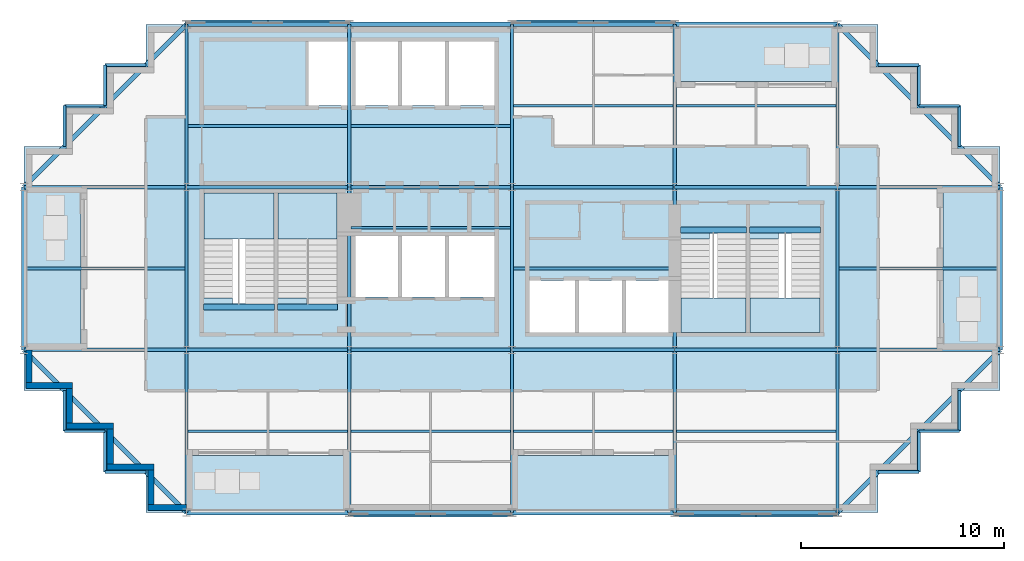
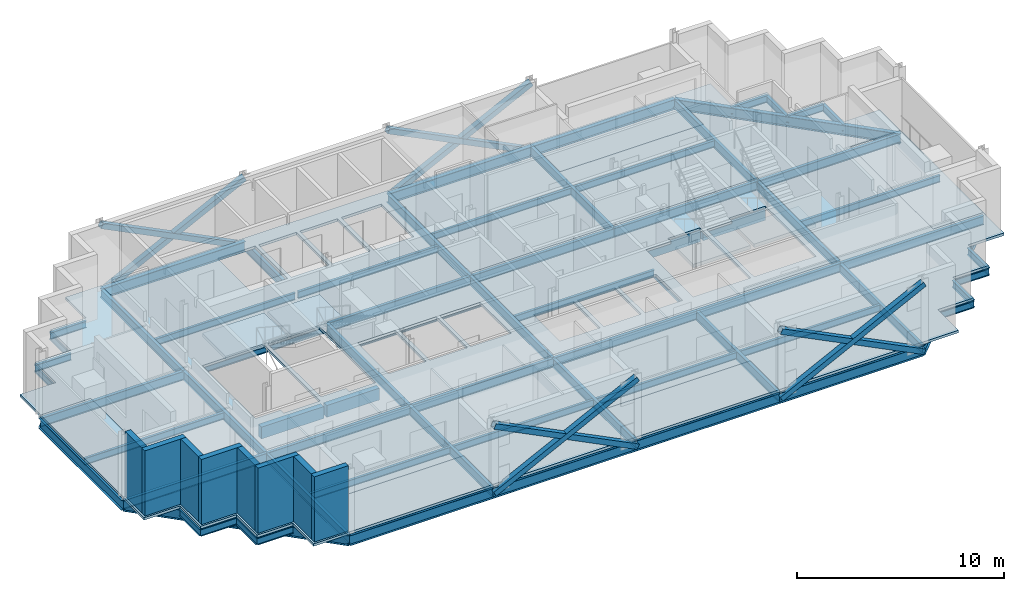
# One storey, part 3 of 10: 73 beams, 12 slabs, 8 members, 8 walls, 4 elements without a shape of their own.
"""IFC4 building model written with IfcOpenShell, lengths in metres."""

import ifcopenshell
import ifcopenshell.guid

model = None  # the IFC model being written
_history = None  # IfcOwnerHistory: only IFC2X3 demands one
_inside = {}  # id of a spatial element -> (the spatial element, [elements in it])
_under = {}  # id of a project, library or spatial element -> (it, [spatial elements below it])
_declared = {}  # id of a project -> (the project, [libraries it declares])
_typed = {}  # id of a type object -> (the type object, [elements of that type])
_made_of = {}  # id of a material, layer set ... -> (it, [elements and type objects made of it])


def new_model(schema):
    """Start an empty IFC model of exactly this schema.

    Asked for "IFC4X3", IfcOpenShell would pick the latest addendum, in which some entities
    have other attributes; the version numbers below select the first issue.
    IFC2X3 requires an IfcOwnerHistory on every rooted entity: one is made here for all.
    """
    global model, _history
    if schema == "IFC4X3":
        model = ifcopenshell.file(schema_version=(4, 3, 0, 0))
    else:
        model = ifcopenshell.file(schema=schema)
    _inside.clear()
    _under.clear()
    _declared.clear()
    _typed.clear()
    _made_of.clear()
    _history = None
    if model.schema == "IFC2X3":
        org = make("IfcOrganization", Name="unknown")
        user = make(
            "IfcPersonAndOrganization",
            ThePerson=make("IfcPerson", FamilyName="unknown"),
            TheOrganization=org,
        )
        app = make(
            "IfcApplication",
            ApplicationDeveloper=org,
            Version="unknown",
            ApplicationFullName="unknown",
            ApplicationIdentifier="unknown",
        )
        _history = make(
            "IfcOwnerHistory",
            OwningUser=user,
            OwningApplication=app,
            ChangeAction="ADDED",
            CreationDate=0,
        )
    return model


def make(cls, **values):
    """One entity of the class cls with the attributes given. An attribute that is None is left unset."""
    return model.create_entity(
        cls, **{name: value for name, value in values.items() if value is not None}
    )


def rooted(cls, **values):
    """An entity with a GlobalId (a new one), such as an element, a storey or a relation."""
    return make(cls, GlobalId=ifcopenshell.guid.new(), OwnerHistory=_history, **values)


def si_unit(unit_type, name, prefix=None):
    """IfcSIUnit, for example si_unit("LENGTHUNIT", "METRE", prefix="MILLI")."""
    return make("IfcSIUnit", UnitType=unit_type, Prefix=prefix, Name=name)


def assignment(units):
    """IfcUnitAssignment: the units of a project."""
    return None if units is None else make("IfcUnitAssignment", Units=units)


def point(xyz):
    """IfcCartesianPoint."""
    return None if xyz is None else make("IfcCartesianPoint", Coordinates=xyz)


def direction(xyz):
    """IfcDirection."""
    return None if xyz is None else make("IfcDirection", DirectionRatios=xyz)


def frame(location, z_axis=None, x_axis=None):
    """IfcAxis2Placement3D, a coordinate frame: its origin and axes. An axis left out is left unset."""
    return make(
        "IfcAxis2Placement3D",
        Location=point(location),
        Axis=direction(z_axis),
        RefDirection=direction(x_axis),
    )


def frame_2d(location, x_axis=None):
    """IfcAxis2Placement2D, a coordinate frame in the plane: its origin and x axis."""
    return make(
        "IfcAxis2Placement2D", Location=point(location), RefDirection=direction(x_axis)
    )


def origin():
    """The frame at (0, 0, 0) with its axes left unset."""
    return frame((0.0, 0.0, 0.0))


def origin_2d():
    """The frame at (0, 0) in the plane with its x axis left unset."""
    return frame_2d((0.0, 0.0))


def place(relative_to, where):
    """IfcLocalPlacement: puts the frame where relative to a parent placement (None: the world)."""
    return make(
        "IfcLocalPlacement", PlacementRelTo=relative_to, RelativePlacement=where
    )


def context(
    kind, dimensions, precision=None, world=None, true_north=None, identifier=None
):
    """IfcGeometricRepresentationContext, for example the 3D "Model" context."""
    return make(
        "IfcGeometricRepresentationContext",
        ContextIdentifier=identifier,
        ContextType=kind,
        CoordinateSpaceDimension=dimensions,
        Precision=precision,
        WorldCoordinateSystem=world,
        TrueNorth=true_north,
    )


def subcontext(parent, identifier, kind, view, scale=None):
    """IfcGeometricRepresentationSubContext, for example "Body" below "Model"."""
    return make(
        "IfcGeometricRepresentationSubContext",
        ContextIdentifier=identifier,
        ContextType=kind,
        ParentContext=parent,
        TargetScale=scale,
        TargetView=view,
    )


def project(units=None, contexts=None):
    """IfcProject with its units and contexts."""
    return rooted(
        "IfcProject",
        Name="project",
        RepresentationContexts=contexts,
        UnitsInContext=assignment(units),
    )


def spatial(cls, under=None, at=None, **own):
    """A site, building, storey or space (cls), placed at a placement, below another one or the project."""
    s = rooted(cls, ObjectPlacement=at, **own)
    if under is not None:
        _under.setdefault(under.id(), (under, []))[1].append(s)
    return s


def polyline(points):
    """IfcPolyline through the points."""
    return make("IfcPolyline", Points=[point(p) for p in points])


def profile(cls, at=None, kind="AREA", **sizes):
    """A parametric profile (cls). Its sizes go by their IFC names, for example OverallWidth=200.0."""
    return make(cls, ProfileType=kind, Position=at, **sizes)


def rectangle(**sizes):
    """IfcRectangleProfileDef."""
    return profile("IfcRectangleProfileDef", **sizes)


def hollow_rectangle(**sizes):
    """IfcRectangleHollowProfileDef."""
    return profile("IfcRectangleHollowProfileDef", **sizes)


def i_section(**sizes):
    """IfcIShapeProfileDef."""
    return profile("IfcIShapeProfileDef", **sizes)


def outline(outer, holes=None, kind="AREA"):
    """IfcArbitraryClosedProfileDef: a profile drawn as a closed curve; with holes, ...WithVoids."""
    if holes is None:
        return make("IfcArbitraryClosedProfileDef", ProfileType=kind, OuterCurve=outer)
    return make(
        "IfcArbitraryProfileDefWithVoids",
        ProfileType=kind,
        OuterCurve=outer,
        InnerCurves=holes,
    )


def extrude(swept, where, along, depth):
    """IfcExtrudedAreaSolid: the profile swept, set in the frame where, extruded along a direction by depth."""
    return make(
        "IfcExtrudedAreaSolid",
        SweptArea=swept,
        Position=where,
        ExtrudedDirection=direction(along),
        Depth=depth,
    )


def shape(context_of_items, identifier, shape_type, items):
    """IfcShapeRepresentation: the items that make up one representation, for example the "Body"."""
    return make(
        "IfcShapeRepresentation",
        ContextOfItems=context_of_items,
        RepresentationIdentifier=identifier,
        RepresentationType=shape_type,
        Items=items,
    )


def material(Name=None, Category=None):
    """IfcMaterial."""
    return make("IfcMaterial", Name=Name, Category=Category)


def layer(
    of_material, thickness, ventilated=None, Name=None, Category=None, Priority=None
):
    """IfcMaterialLayer: one layer of a wall or slab, of a material (None: an air gap)."""
    return make(
        "IfcMaterialLayer",
        Material=of_material,
        LayerThickness=thickness,
        IsVentilated=ventilated,
        Name=Name,
        Category=Category,
        Priority=Priority,
    )


def layer_set(layers, Name=None):
    """IfcMaterialLayerSet."""
    return make("IfcMaterialLayerSet", MaterialLayers=layers, LayerSetName=Name)


def material_profile(
    of_material, cross_section, Name=None, Category=None, Priority=None
):
    """IfcMaterialProfile: a cross section and its material."""
    return make(
        "IfcMaterialProfile",
        Name=Name,
        Material=of_material,
        Profile=cross_section,
        Priority=Priority,
        Category=Category,
    )


def profile_set(profiles, Name=None, composite=None):
    """IfcMaterialProfileSet."""
    return make(
        "IfcMaterialProfileSet",
        Name=Name,
        MaterialProfiles=profiles,
        CompositeProfile=composite,
    )


def made_of(thing, what):
    """Note that an element or type object is made of a material, layer set ...; save() writes the relation."""
    if what is not None:
        _made_of.setdefault(what.id(), (what, []))[1].append(thing)
    return thing


def type_object(cls, material=None, **own):
    """A type object (cls), such as IfcWallType, which elements share."""
    return made_of(rooted(cls, **own), material)


def element(
    cls,
    number,
    at=None,
    inside=None,
    cuts=None,
    type_object=None,
    material=None,
    context=None,
    identifier="Body",
    shape_type=None,
    held_by="IfcProductDefinitionShape",
    body=None,
    shapes=None,
    **own,
):
    """One element of the class cls, such as IfcWall. Its Tag is "e" and its number.

    at: its placement. inside: the storey or other place that contains it. cuts: it is an
    opening in that element (IfcRelVoidsElement). A single representation is given by context,
    identifier, shape_type and body (its items); several are given by shapes. held_by: the class
    of the entity that holds the representations. save() writes the other relations.
    """
    e = rooted(cls, Tag="e%d" % number, ObjectPlacement=at, **own)
    if body is not None:
        shapes = [shape(context, identifier, shape_type, body)]
    if shapes is not None:
        e.Representation = make(held_by, Representations=shapes)
    if inside is not None:
        _inside.setdefault(inside.id(), (inside, []))[1].append(e)
    if cuts is not None:
        rooted(
            "IfcRelVoidsElement", RelatingBuildingElement=cuts, RelatedOpeningElement=e
        )
    if type_object is not None:
        _typed.setdefault(type_object.id(), (type_object, []))[1].append(e)
    return made_of(e, material)


def aggregate(whole, parts):
    """IfcRelAggregates: a whole, such as a stair, and the parts it consists of."""
    return rooted("IfcRelAggregates", RelatingObject=whole, RelatedObjects=parts)


def save(model, path):
    """Write the relations noted so far, then the file.

    IfcRelAggregates (storeys below a building ...), IfcRelContainedInSpatialStructure (elements
    in a storey), IfcRelDefinesByType, IfcRelAssociatesMaterial and IfcRelDeclares: one each for
    every whole, place, type object, material and project.
    """
    for whole, parts in _under.values():
        aggregate(whole, parts)
    for where, things in _inside.values():
        rooted(
            "IfcRelContainedInSpatialStructure",
            RelatedElements=things,
            RelatingStructure=where,
        )
    for kind, things in _typed.values():
        rooted("IfcRelDefinesByType", RelatedObjects=things, RelatingType=kind)
    for what, things in _made_of.values():
        rooted("IfcRelAssociatesMaterial", RelatedObjects=things, RelatingMaterial=what)
    for by, libraries in _declared.values():
        rooted("IfcRelDeclares", RelatingContext=by, RelatedDefinitions=libraries)
    model.write(path)


model = new_model("IFC4")

# Units and contexts
model_context = context("Model", 3, precision=1e-05, world=origin(), true_north=direction((0.0, 1.0)))
body_context = subcontext(model_context, "Body", "Model", "MODEL_VIEW")
ifc_project = project(units=[si_unit("LENGTHUNIT", "METRE"), si_unit("AREAUNIT", "SQUARE_METRE"), si_unit("VOLUMEUNIT", "CUBIC_METRE"), si_unit("PLANEANGLEUNIT", "RADIAN"), si_unit("MASSUNIT", "GRAM", prefix="KILO")], contexts=[model_context])

# Site, building, storey
site_placement = place(None, origin())
site = spatial("IfcSite", under=ifc_project, at=site_placement, CompositionType="ELEMENT")
building_placement = place(site_placement, origin())
building = spatial("IfcBuilding", under=site, at=building_placement, Name="Immortelle Media Tower", CompositionType="ELEMENT")
storey_placement = place(building_placement, frame((0.0, 0.0, 279.0)))
storey = spatial("IfcBuildingStorey", under=building, at=storey_placement, Name="L61", CompositionType="ELEMENT", Elevation=279.0)

# Members
ifc_material_1 = material(Name="Steel ASTM A500 Gr C", Category="steel")
ifc_material_profile_1 = material_profile(ifc_material_1, hollow_rectangle(XDim=0.304931640625, YDim=0.304931640625, WallThickness=0.009033203125, at=origin_2d()), Name="HSS12x12x3/8 brace")
ifc_profile_set_1 = profile_set([ifc_material_profile_1], Name="Steel ASTM A500 Gr C")
member_type = type_object("IfcMemberType", Name="HSS12x12x3/8 brace", PredefinedType="BRACE", material=ifc_profile_set_1)
for number, where, z_axis, x_axis, name in (
    (1, (16.0, -0.0625, -0.450927734375), (0.894427191, 0.0, 0.4472135955), (0.0, 1.0, 0.0), "Brace A/3-4 A"),
    (2, (16.0, -0.0625, 3.549072265625), (0.894427191, 0.0, -0.4472135955), (0.0, 1.0, 0.0), "Brace A/3-4 B"),
    (3, (32.0, -0.0625, -0.450927734375), (0.894427191, 0.0, 0.4472135955), (0.0, 1.0, 0.0), "Brace A/5-6 A"),
    (4, (32.0, -0.0625, 3.549072265625), (0.894427191, 0.0, -0.4472135955), (0.0, 1.0, 0.0), "Brace A/5-6 B"),
    (5, (32.0, 24.0625, -0.450927734375), (-0.894427191, 0.0, 0.4472135955), (0.0, -1.0, 0.0), "Brace D/4-5 A"),
    (6, (32.0, 24.0625, 3.549072265625), (-0.894427191, 0.0, -0.4472135955), (0.0, -1.0, 0.0), "Brace D/4-5 B"),
    (7, (16.0, 24.0625, -0.450927734375), (-0.894427191, 0.0, 0.4472135955), (0.0, -1.0, 0.0), "Brace D/2-3 A"),
    (8, (16.0, 24.0625, 3.549072265625), (-0.894427191, 0.0, -0.4472135955), (0.0, -1.0, 0.0), "Brace D/2-3 B"),
):
    element("IfcMember", number, at=place(storey_placement, frame(where, z_axis=z_axis, x_axis=x_axis)), inside=storey, type_object=member_type, Name=name, PredefinedType="BRACE", context=body_context, shape_type="SweptSolid", body=[
        extrude(hollow_rectangle(XDim=0.304931640625, YDim=0.304931640625, WallThickness=0.009033203125, at=origin_2d()), origin(), (0.0, 0.0, 1.0), 8.9443359375),
    ])

# Beams
ifc_material_2 = material(Name="Concrete C50/60", Category="concrete")
ifc_material_profile_2 = material_profile(ifc_material_2, rectangle(XDim=0.300048828125, YDim=0.699951171875, at=origin_2d()), Name="RC 300x700")
ifc_profile_set_2 = profile_set([ifc_material_profile_2], Name="Concrete C50/60")
beam_type_1 = type_object("IfcBeamType", Name="Stair trimmer beam 300 x 700", PredefinedType="BEAM", material=ifc_profile_set_2)
beam_1_placement = place(storey_placement, frame((8.830078125, 10.10498046875, -0.5), z_axis=(1.0, 0.0, 0.0), x_axis=(0.0, 1.0, 0.0)))
element("IfcBeam", 9, at=beam_1_placement, inside=storey, type_object=beam_type_1, Name="Stair trimmer beam SW1", PredefinedType="BEAM", context=body_context, shape_type="SweptSolid", body=[
    extrude(rectangle(XDim=0.300048828125, YDim=0.699951171875, at=origin_2d()), origin(), (0.0, 0.0, 1.0), 3.489990234375),
])
beam_2_placement = place(storey_placement, frame((12.47998046875, 10.10498046875, -0.5), z_axis=(1.0, 0.0, 0.0), x_axis=(0.0, 1.0, 0.0)))
element("IfcBeam", 10, at=beam_2_placement, inside=storey, type_object=beam_type_1, Name="Stair trimmer beam SW2", PredefinedType="BEAM", context=body_context, shape_type="SweptSolid", body=[
    extrude(rectangle(XDim=0.300048828125, YDim=0.699951171875, at=origin_2d()), origin(), (0.0, 0.0, 1.0), 2.93994140625),
])
beam_3_placement = place(storey_placement, frame((32.280029296875, 13.89501953125, -0.5), z_axis=(1.0, 0.0, 0.0), x_axis=(0.0, 1.0, 0.0)))
element("IfcBeam", 11, at=beam_3_placement, inside=storey, type_object=beam_type_1, Name="Stair trimmer beam SE1", PredefinedType="BEAM", context=body_context, shape_type="SweptSolid", body=[
    extrude(rectangle(XDim=0.300048828125, YDim=0.699951171875, at=origin_2d()), origin(), (0.0, 0.0, 1.0), 3.239990234375),
])
beam_4_placement = place(storey_placement, frame((35.679931640625, 13.89501953125, -0.5), z_axis=(1.0, 0.0, 0.0), x_axis=(0.0, 1.0, 0.0)))
element("IfcBeam", 12, at=beam_4_placement, inside=storey, type_object=beam_type_1, Name="Stair trimmer beam SE2", PredefinedType="BEAM", context=body_context, shape_type="SweptSolid", body=[
    extrude(rectangle(XDim=0.300048828125, YDim=0.699951171875, at=origin_2d()), origin(), (0.0, 0.0, 1.0), 3.489990234375),
])
ifc_material_3 = material(Name="Steel ASTM A992 Gr 50", Category="steel")
ifc_material_profile_3 = material_profile(ifc_material_3, i_section(OverallWidth=0.139892578125, OverallDepth=0.404052734375, WebThickness=0.007080078125, FlangeThickness=0.010986328125, at=origin_2d()), Name="W16x31")
ifc_profile_set_3 = profile_set([ifc_material_profile_3], Name="Steel ASTM A992 Gr 50")
beam_type_2 = type_object("IfcBeamType", Name="W16x31 secondary beam", PredefinedType="JOIST", material=ifc_profile_set_3)
for number, where, z_axis, x_axis, name in (
    (13, (8.08251953125, 4.0, -0.35205078125), (1.0, 0.0, 0.0), (0.0, 1.0, 0.0), "Beam A-B/2-3"),
    (14, (16.08251953125, 4.0, -0.35205078125), (1.0, 0.0, 0.0), (0.0, 1.0, 0.0), "Beam A-B/3-4"),
    (15, (24.08251953125, 4.0, -0.35205078125), (1.0, 0.0, 0.0), (0.0, 1.0, 0.0), "Beam A-B/4-5"),
    (16, (32.08251953125, 4.0, -0.35205078125), (1.0, 0.0, 0.0), (0.0, 1.0, 0.0), "Beam A-B/5-6"),
):
    element("IfcBeam", number, at=place(storey_placement, frame(where, z_axis=z_axis, x_axis=x_axis)), inside=storey, type_object=beam_type_2, Name=name, PredefinedType="JOIST", context=body_context, shape_type="SweptSolid", body=[
        extrude(i_section(OverallWidth=0.139892578125, OverallDepth=0.404052734375, WebThickness=0.007080078125, FlangeThickness=0.010986328125, at=origin_2d()), origin(), (0.0, 0.0, 1.0), 7.8349609375),
    ])
beam_5_placement = place(storey_placement, frame((0.114013671875, 12.0, -0.35205078125), z_axis=(1.0, 0.0, 0.0), x_axis=(0.0, 1.0, 0.0)))
element("IfcBeam", 17, at=beam_5_placement, inside=storey, type_object=beam_type_2, Name="Beam B-C/1-2", PredefinedType="JOIST", context=body_context, shape_type="SweptSolid", body=[
    extrude(i_section(OverallWidth=0.139892578125, OverallDepth=0.404052734375, WebThickness=0.007080078125, FlangeThickness=0.010986328125, at=origin_2d()), origin(), (0.0, 0.0, 1.0), 7.803466796875),
])
for number, where, z_axis, x_axis, name in (
    (18, (16.08251953125, 14.0, -0.35205078125), (1.0, 0.0, 0.0), (0.0, 1.0, 0.0), "Beam B-C/3-4"),
    (19, (24.08251953125, 12.0, -0.35205078125), (1.0, 0.0, 0.0), (0.0, 1.0, 0.0), "Beam B-C/4-5"),
):
    element("IfcBeam", number, at=place(storey_placement, frame(where, z_axis=z_axis, x_axis=x_axis)), inside=storey, type_object=beam_type_2, Name=name, PredefinedType="JOIST", context=body_context, shape_type="SweptSolid", body=[
        extrude(i_section(OverallWidth=0.139892578125, OverallDepth=0.404052734375, WebThickness=0.007080078125, FlangeThickness=0.010986328125, at=origin_2d()), origin(), (0.0, 0.0, 1.0), 7.8349609375),
    ])
beam_6_placement = place(storey_placement, frame((40.08251953125, 12.0, -0.35205078125), z_axis=(1.0, 0.0, 0.0), x_axis=(0.0, 1.0, 0.0)))
element("IfcBeam", 20, at=beam_6_placement, inside=storey, type_object=beam_type_2, Name="Beam B-C/6-7", PredefinedType="JOIST", context=body_context, shape_type="SweptSolid", body=[
    extrude(i_section(OverallWidth=0.139892578125, OverallDepth=0.404052734375, WebThickness=0.007080078125, FlangeThickness=0.010986328125, at=origin_2d()), origin(), (0.0, 0.0, 1.0), 7.803466796875),
])
for number, where, z_axis, x_axis, name in (
    (21, (8.08251953125, 19.0, -0.35205078125), (1.0, 0.0, 0.0), (0.0, 1.0, 0.0), "Beam C-D/2-3"),
    (22, (16.08251953125, 19.0, -0.35205078125), (1.0, 0.0, 0.0), (0.0, 1.0, 0.0), "Beam C-D/3-4"),
    (23, (24.08251953125, 20.0, -0.35205078125), (1.0, 0.0, 0.0), (0.0, 1.0, 0.0), "Beam C-D/4-5"),
    (24, (32.08251953125, 20.0, -0.35205078125), (1.0, 0.0, 0.0), (0.0, 1.0, 0.0), "Beam C-D/5-6"),
):
    element("IfcBeam", number, at=place(storey_placement, frame(where, z_axis=z_axis, x_axis=x_axis)), inside=storey, type_object=beam_type_2, Name=name, PredefinedType="JOIST", context=body_context, shape_type="SweptSolid", body=[
        extrude(i_section(OverallWidth=0.139892578125, OverallDepth=0.404052734375, WebThickness=0.007080078125, FlangeThickness=0.010986328125, at=origin_2d()), origin(), (0.0, 0.0, 1.0), 7.8349609375),
    ])
ifc_material_profile_4 = material_profile(ifc_material_3, i_section(OverallWidth=0.139892578125, OverallDepth=0.404052734375, WebThickness=0.007080078125, FlangeThickness=0.010986328125, at=origin_2d()), Name="W16x31")
ifc_profile_set_4 = profile_set([ifc_material_profile_4], Name="Steel ASTM A992 Gr 50")
beam_type_3 = type_object("IfcBeamType", Name="W16x31 serration edge beam", PredefinedType="SPANDREL", material=ifc_profile_set_4)
for number, where, z_axis, x_axis, name in (
    (25, (6.0, 2.0, -0.35205078125), (-1.0, 0.0, 0.0), (0.0, -1.0, 0.0), "Corner edge beam 1 at 1/A"),
    (26, (4.0, 2.0, -0.35205078125), (0.0, 1.0, 0.0), (-1.0, 0.0, 0.0), "Corner edge beam 2 at 1/A"),
    (27, (4.0, 4.0, -0.35205078125), (-1.0, 0.0, 0.0), (0.0, -1.0, 0.0), "Corner edge beam 3 at 1/A"),
    (28, (2.0, 4.0, -0.35205078125), (0.0, 1.0, 0.0), (-1.0, 0.0, 0.0), "Corner edge beam 4 at 1/A"),
    (29, (2.0, 18.0, -0.35205078125), (0.0, 1.0, 0.0), (-1.0, 0.0, 0.0), "Corner edge beam 1 at 1/D"),
    (30, (2.0, 20.0, -0.35205078125), (1.0, 0.0, 0.0), (0.0, 1.0, 0.0), "Corner edge beam 2 at 1/D"),
    (31, (4.0, 20.0, -0.35205078125), (0.0, 1.0, 0.0), (-1.0, 0.0, 0.0), "Corner edge beam 3 at 1/D"),
    (32, (4.0, 22.0, -0.35205078125), (1.0, 0.0, 0.0), (0.0, 1.0, 0.0), "Corner edge beam 4 at 1/D"),
    (33, (46.0, 6.0, -0.35205078125), (0.0, -1.0, 0.0), (1.0, 0.0, 0.0), "Corner edge beam 1 at 7/A"),
    (34, (46.0, 4.0, -0.35205078125), (-1.0, 0.0, 0.0), (0.0, -1.0, 0.0), "Corner edge beam 2 at 7/A"),
    (35, (44.0, 4.0, -0.35205078125), (0.0, -1.0, 0.0), (1.0, 0.0, 0.0), "Corner edge beam 3 at 7/A"),
    (36, (44.0, 2.0, -0.35205078125), (-1.0, 0.0, 0.0), (0.0, -1.0, 0.0), "Corner edge beam 4 at 7/A"),
    (37, (42.0, 22.0, -0.35205078125), (1.0, 0.0, 0.0), (0.0, 1.0, 0.0), "Corner edge beam 1 at 7/D"),
    (38, (44.0, 22.0, -0.35205078125), (0.0, -1.0, 0.0), (1.0, 0.0, 0.0), "Corner edge beam 2 at 7/D"),
    (39, (44.0, 20.0, -0.35205078125), (1.0, 0.0, 0.0), (0.0, 1.0, 0.0), "Corner edge beam 3 at 7/D"),
    (40, (46.0, 20.0, -0.35205078125), (0.0, -1.0, 0.0), (1.0, 0.0, 0.0), "Corner edge beam 4 at 7/D"),
):
    element("IfcBeam", number, at=place(storey_placement, frame(where, z_axis=z_axis, x_axis=x_axis)), inside=storey, type_object=beam_type_3, Name=name, PredefinedType="SPANDREL", context=body_context, shape_type="SweptSolid", body=[
        extrude(i_section(OverallWidth=0.139892578125, OverallDepth=0.404052734375, WebThickness=0.007080078125, FlangeThickness=0.010986328125, at=origin_2d()), origin(), (0.0, 0.0, 1.0), 2.0),
    ])
ifc_material_profile_5 = material_profile(ifc_material_3, i_section(OverallWidth=0.1650390625, OverallDepth=0.52587890625, WebThickness=0.009033203125, FlangeThickness=0.010986328125, at=origin_2d()), Name="W21x44")
ifc_profile_set_5 = profile_set([ifc_material_profile_5], Name="Steel ASTM A992 Gr 50")
beam_type_4 = type_object("IfcBeamType", Name="W21x44 girder", PredefinedType="BEAM", material=ifc_profile_set_5)
for number, where, z_axis, x_axis, name in (
    (41, (0.0, 8.0, -0.4130859375), (1.0, 0.0, 0.0), (0.0, 1.0, 0.0), "Girder B/1-2"),
    (42, (0.0, 16.0, -0.4130859375), (1.0, 0.0, 0.0), (0.0, 1.0, 0.0), "Girder C/1-2"),
    (43, (8.0, 0.0, -0.4130859375), (0.0, 1.0, 0.0), (-1.0, 0.0, 0.0), "Girder 2/A-B"),
    (44, (8.0, 8.0, -0.4130859375), (1.0, 0.0, 0.0), (0.0, 1.0, 0.0), "Girder B/2-3"),
    (45, (8.0, 8.0, -0.4130859375), (0.0, 1.0, 0.0), (-1.0, 0.0, 0.0), "Girder 2/B-C"),
    (46, (8.0, 16.0, -0.4130859375), (1.0, 0.0, 0.0), (0.0, 1.0, 0.0), "Girder C/2-3"),
    (47, (8.0, 16.0, -0.4130859375), (0.0, 1.0, 0.0), (-1.0, 0.0, 0.0), "Girder 2/C-D"),
    (48, (16.0, 0.0, -0.4130859375), (0.0, 1.0, 0.0), (-1.0, 0.0, 0.0), "Girder 3/A-B"),
    (49, (16.0, 8.0, -0.4130859375), (1.0, 0.0, 0.0), (0.0, 1.0, 0.0), "Girder B/3-4"),
    (50, (16.0, 8.0, -0.4130859375), (0.0, 1.0, 0.0), (-1.0, 0.0, 0.0), "Girder 3/B-C"),
    (51, (16.0, 16.0, -0.4130859375), (1.0, 0.0, 0.0), (0.0, 1.0, 0.0), "Girder C/3-4"),
    (52, (16.0, 16.0, -0.4130859375), (0.0, 1.0, 0.0), (-1.0, 0.0, 0.0), "Girder 3/C-D"),
    (53, (24.0, 0.0, -0.4130859375), (0.0, 1.0, 0.0), (-1.0, 0.0, 0.0), "Girder 4/A-B"),
    (54, (24.0, 8.0, -0.4130859375), (1.0, 0.0, 0.0), (0.0, 1.0, 0.0), "Girder B/4-5"),
    (55, (24.0, 8.0, -0.4130859375), (0.0, 1.0, 0.0), (-1.0, 0.0, 0.0), "Girder 4/B-C"),
    (56, (24.0, 16.0, -0.4130859375), (1.0, 0.0, 0.0), (0.0, 1.0, 0.0), "Girder C/4-5"),
    (57, (24.0, 16.0, -0.4130859375), (0.0, 1.0, 0.0), (-1.0, 0.0, 0.0), "Girder 4/C-D"),
    (58, (32.0, 0.0, -0.4130859375), (0.0, 1.0, 0.0), (-1.0, 0.0, 0.0), "Girder 5/A-B"),
    (59, (32.0, 8.0, -0.4130859375), (1.0, 0.0, 0.0), (0.0, 1.0, 0.0), "Girder B/5-6"),
    (60, (32.0, 8.0, -0.4130859375), (0.0, 1.0, 0.0), (-1.0, 0.0, 0.0), "Girder 5/B-C"),
    (61, (32.0, 16.0, -0.4130859375), (1.0, 0.0, 0.0), (0.0, 1.0, 0.0), "Girder C/5-6"),
    (62, (32.0, 16.0, -0.4130859375), (0.0, 1.0, 0.0), (-1.0, 0.0, 0.0), "Girder 5/C-D"),
    (63, (40.0, 0.0, -0.4130859375), (0.0, 1.0, 0.0), (-1.0, 0.0, 0.0), "Girder 6/A-B"),
    (64, (40.0, 8.0, -0.4130859375), (1.0, 0.0, 0.0), (0.0, 1.0, 0.0), "Girder B/6-7"),
    (65, (40.0, 8.0, -0.4130859375), (0.0, 1.0, 0.0), (-1.0, 0.0, 0.0), "Girder 6/B-C"),
    (66, (40.0, 16.0, -0.4130859375), (1.0, 0.0, 0.0), (0.0, 1.0, 0.0), "Girder C/6-7"),
    (67, (40.0, 16.0, -0.4130859375), (0.0, 1.0, 0.0), (-1.0, 0.0, 0.0), "Girder 6/C-D"),
):
    element("IfcBeam", number, at=place(storey_placement, frame(where, z_axis=z_axis, x_axis=x_axis)), inside=storey, type_object=beam_type_4, Name=name, PredefinedType="BEAM", context=body_context, shape_type="SweptSolid", body=[
        extrude(i_section(OverallWidth=0.1650390625, OverallDepth=0.52587890625, WebThickness=0.009033203125, FlangeThickness=0.010986328125, at=origin_2d()), origin(), (0.0, 0.0, 1.0), 8.0),
    ])
ifc_material_profile_6 = material_profile(ifc_material_3, i_section(OverallWidth=0.22802734375, OverallDepth=0.60205078125, WebThickness=0.010986328125, FlangeThickness=0.014892578125, at=origin_2d()), Name="W24x68")
ifc_profile_set_6 = profile_set([ifc_material_profile_6], Name="Steel ASTM A992 Gr 50")
beam_type_5 = type_object("IfcBeamType", Name="W24x68 perimeter girder", PredefinedType="SPANDREL", material=ifc_profile_set_6)
for number, where, z_axis, x_axis, name in (
    (68, (0.0, 8.0, -0.450927734375), (0.0, 1.0, 0.0), (-1.0, 0.0, 0.0), "Girder 1/B-C"),
    (69, (8.0, 0.0, -0.450927734375), (1.0, 0.0, 0.0), (0.0, 1.0, 0.0), "Girder A/2-3"),
    (70, (8.0, 24.0, -0.450927734375), (1.0, 0.0, 0.0), (0.0, 1.0, 0.0), "Girder D/2-3"),
    (71, (16.0, 0.0, -0.450927734375), (1.0, 0.0, 0.0), (0.0, 1.0, 0.0), "Girder A/3-4"),
    (72, (16.0, 24.0, -0.450927734375), (1.0, 0.0, 0.0), (0.0, 1.0, 0.0), "Girder D/3-4"),
    (73, (24.0, 0.0, -0.450927734375), (1.0, 0.0, 0.0), (0.0, 1.0, 0.0), "Girder A/4-5"),
    (74, (24.0, 24.0, -0.450927734375), (1.0, 0.0, 0.0), (0.0, 1.0, 0.0), "Girder D/4-5"),
    (75, (32.0, 0.0, -0.450927734375), (1.0, 0.0, 0.0), (0.0, 1.0, 0.0), "Girder A/5-6"),
    (76, (32.0, 24.0, -0.450927734375), (1.0, 0.0, 0.0), (0.0, 1.0, 0.0), "Girder D/5-6"),
    (77, (48.0, 8.0, -0.450927734375), (0.0, 1.0, 0.0), (-1.0, 0.0, 0.0), "Girder 7/B-C"),
):
    element("IfcBeam", number, at=place(storey_placement, frame(where, z_axis=z_axis, x_axis=x_axis)), inside=storey, type_object=beam_type_5, Name=name, PredefinedType="SPANDREL", context=body_context, shape_type="SweptSolid", body=[
        extrude(i_section(OverallWidth=0.22802734375, OverallDepth=0.60205078125, WebThickness=0.010986328125, FlangeThickness=0.014892578125, at=origin_2d()), origin(), (0.0, 0.0, 1.0), 8.0),
    ])
ifc_material_profile_7 = material_profile(ifc_material_3, i_section(OverallWidth=0.22900390625, OverallDepth=0.612060546875, WebThickness=0.011962890625, FlangeThickness=0.02001953125, at=origin_2d()), Name="W24x84")
ifc_profile_set_7 = profile_set([ifc_material_profile_7], Name="Steel ASTM A992 Gr 50")
beam_type_6 = type_object("IfcBeamType", Name="W24x84 corner girder", PredefinedType="SPANDREL", material=ifc_profile_set_7)
for number, where, z_axis, x_axis, name in (
    (78, (8.0, 0.0, -0.4560546875), (-0.707106781187, 0.707106781187, 0.0), (-0.707106781187, -0.707106781187, 0.0), "Corner girder at 1/A"),
    (79, (0.0, 16.0, -0.4560546875), (0.707106781187, 0.707106781187, 0.0), (-0.707106781187, 0.707106781187, 0.0), "Corner girder at 1/D"),
    (80, (48.0, 8.0, -0.4560546875), (-0.707106781187, -0.707106781187, 0.0), (0.707106781187, -0.707106781187, 0.0), "Corner girder at 7/A"),
    (81, (40.0, 24.0, -0.4560546875), (0.707106781187, -0.707106781187, 0.0), (0.707106781187, 0.707106781187, 0.0), "Corner girder at 7/D"),
):
    element("IfcBeam", number, at=place(storey_placement, frame(where, z_axis=z_axis, x_axis=x_axis)), inside=storey, type_object=beam_type_6, Name=name, PredefinedType="SPANDREL", context=body_context, shape_type="SweptSolid", body=[
        extrude(i_section(OverallWidth=0.22900390625, OverallDepth=0.612060546875, WebThickness=0.011962890625, FlangeThickness=0.02001953125, at=origin_2d()), origin(), (0.0, 0.0, 1.0), 11.313720703125),
    ])

# Slabs
ifc_material_4 = material(Name="Concrete C50/60 composite deck", Category="concrete")
ifc_layer_1 = layer(ifc_material_4, 0.14990234375)
ifc_layer_set_1 = layer_set([ifc_layer_1], Name="Concrete C50/60 composite deck")
slab_type_1 = type_object("IfcSlabType", Name="Balcony slab 150", PredefinedType="FLOOR", material=ifc_layer_set_1)
slab_1_placement = place(storey_placement, frame((0.0, 0.0, -0.14990234375)))
element("IfcSlab", 82, at=slab_1_placement, inside=storey, type_object=slab_type_1, Name="Balcony slab L61 S0", PredefinedType="FLOOR", context=body_context, shape_type="SweptSolid", body=[
    extrude(outline(polyline([(16.0, 0.0), (16.0, 2.800048828125), (8.0, 2.800048828125), (8.0, 0.0), (16.0, 0.0)])), origin(), (0.0, 0.0, 1.0), 0.14990234375),
])
slab_2_placement = place(storey_placement, frame((0.0, 0.0, -0.14990234375)))
element("IfcSlab", 83, at=slab_2_placement, inside=storey, type_object=slab_type_1, Name="Balcony slab L61 S2", PredefinedType="FLOOR", context=body_context, shape_type="SweptSolid", body=[
    extrude(outline(polyline([(32.0, 0.0), (32.0, 2.800048828125), (24.0, 2.800048828125), (24.0, 0.0), (32.0, 0.0)])), origin(), (0.0, 0.0, 1.0), 0.14990234375),
])
slab_3_placement = place(storey_placement, frame((0.0, 0.0, -0.14990234375)))
element("IfcSlab", 84, at=slab_3_placement, inside=storey, type_object=slab_type_1, Name="Balcony slab L61 E0", PredefinedType="FLOOR", context=body_context, shape_type="SweptSolid", body=[
    extrude(outline(polyline([(48.0, 8.0), (48.0, 16.0), (45.199951171875, 16.0), (45.199951171875, 8.0), (48.0, 8.0)])), origin(), (0.0, 0.0, 1.0), 0.14990234375),
])
slab_4_placement = place(storey_placement, frame((0.0, 0.0, -0.14990234375)))
element("IfcSlab", 85, at=slab_4_placement, inside=storey, type_object=slab_type_1, Name="Balcony slab L61 N0", PredefinedType="FLOOR", context=body_context, shape_type="SweptSolid", body=[
    extrude(outline(polyline([(40.0, 21.199951171875), (40.0, 24.0), (32.0, 24.0), (32.0, 21.199951171875), (40.0, 21.199951171875)])), origin(), (0.0, 0.0, 1.0), 0.14990234375),
])
slab_5_placement = place(storey_placement, frame((0.0, 0.0, -0.14990234375)))
element("IfcSlab", 86, at=slab_5_placement, inside=storey, type_object=slab_type_1, Name="Balcony slab L61 W0", PredefinedType="FLOOR", context=body_context, shape_type="SweptSolid", body=[
    extrude(outline(polyline([(2.800048828125, 8.0), (2.800048828125, 16.0), (0.0, 16.0), (0.0, 8.0), (2.800048828125, 8.0)])), origin(), (0.0, 0.0, 1.0), 0.14990234375),
])
ifc_layer_2 = layer(ifc_material_2, 0.14990234375)
ifc_layer_set_2 = layer_set([ifc_layer_2], Name="Concrete C50/60")
slab_type_2 = type_object("IfcSlabType", Name="Composite floor slab 150", PredefinedType="FLOOR", material=ifc_layer_set_2)
slab_6_placement = place(storey_placement, frame((0.0, 0.0, -0.14990234375)))
element("IfcSlab", 87, at=slab_6_placement, inside=storey, type_object=slab_type_2, Name="Floor slab L61", PredefinedType="FLOOR", context=body_context, shape_type="SweptSolid", body=[
    extrude(outline(polyline([(6.0, 0.0), (6.0, 2.0), (4.0, 2.0), (4.0, 4.0), (2.0, 4.0), (2.0, 6.0), (0.0, 6.0), (0.0, 8.0), (2.800048828125, 8.0), (2.800048828125, 16.0), (0.0, 16.0), (0.0, 18.0), (2.0, 18.0), (2.0, 20.0), (4.0, 20.0), (4.0, 22.0), (6.0, 22.0), (6.0, 24.0), (8.0, 24.0), (8.0, 8.0), (24.0, 8.0), (40.0, 8.0), (40.0, 16.0), (24.0, 16.0), (24.0, 21.199951171875), (24.0, 24.0), (32.0, 24.0), (32.0, 21.199951171875), (40.0, 21.199951171875), (40.0, 24.0), (42.0, 24.0), (42.0, 22.0), (44.0, 22.0), (44.0, 20.0), (46.0, 20.0), (46.0, 18.0), (48.0, 18.0), (48.0, 16.0), (45.199951171875, 16.0), (45.199951171875, 8.0), (48.0, 8.0), (48.0, 6.0), (46.0, 6.0), (46.0, 4.0), (44.0, 4.0), (44.0, 2.0), (42.0, 2.0), (42.0, 0.0), (32.0, 0.0), (32.0, 2.800048828125), (24.0, 2.800048828125), (24.0, 0.0), (16.0, 0.0), (16.0, 2.800048828125), (8.0, 2.800048828125), (8.0, 0.0), (6.0, 0.0)])), origin(), (0.0, 0.0, 1.0), 0.14990234375),
])
ifc_layer_3 = layer(ifc_material_2, 0.14990234375)
ifc_layer_set_3 = layer_set([ifc_layer_3], Name="Concrete C50/60")
slab_type_3 = type_object("IfcSlabType", Name="Core floor slab 150", PredefinedType="FLOOR", material=ifc_layer_set_3)
slab_7_placement = place(storey_placement, frame((0.0, 0.0, -0.14990234375)))
element("IfcSlab", 88, at=slab_7_placement, inside=storey, type_object=slab_type_3, Name="Core floor SW", PredefinedType="FLOOR", context=body_context, shape_type="SweptSolid", body=[
    extrude(outline(polyline([(8.0, 8.0), (24.0, 8.0), (24.0, 24.0), (8.0, 24.0), (8.0, 8.0)]), holes=[polyline([(14.0, 20.0), (16.10009765625, 20.0), (16.10009765625, 23.14990234375), (14.0, 23.14990234375), (14.0, 20.0)]), polyline([(16.300048828125, 20.0), (18.39990234375, 20.0), (18.39990234375, 23.14990234375), (16.300048828125, 23.14990234375), (16.300048828125, 20.0)]), polyline([(18.60009765625, 20.0), (20.699951171875, 20.0), (20.699951171875, 23.14990234375), (18.60009765625, 23.14990234375), (18.60009765625, 20.0)]), polyline([(20.89990234375, 20.0), (23.14990234375, 20.0), (23.14990234375, 23.14990234375), (20.89990234375, 23.14990234375), (20.89990234375, 20.0)]), polyline([(16.300048828125, 10.60009765625), (18.39990234375, 10.60009765625), (18.39990234375, 13.60009765625), (16.300048828125, 13.60009765625), (16.300048828125, 10.60009765625)]), polyline([(18.60009765625, 10.60009765625), (20.699951171875, 10.60009765625), (20.699951171875, 13.60009765625), (18.60009765625, 13.60009765625), (18.60009765625, 10.60009765625)]), polyline([(20.89990234375, 10.60009765625), (23.14990234375, 10.60009765625), (23.14990234375, 13.60009765625), (20.89990234375, 13.60009765625), (20.89990234375, 10.60009765625)]), polyline([(8.85009765625, 15.699951171875), (12.300048828125, 15.699951171875), (12.300048828125, 10.27001953125), (10.25, 10.27001953125), (10.25, 10.56005859375), (8.85009765625, 10.56005859375), (8.85009765625, 15.699951171875)]), polyline([(12.5, 15.699951171875), (15.39990234375, 15.699951171875), (15.39990234375, 10.27001953125), (13.89990234375, 10.27001953125), (13.89990234375, 10.56005859375), (12.5, 10.56005859375), (12.5, 15.699951171875)])]), origin(), (0.0, 0.0, 1.0), 0.14990234375),
])
slab_8_placement = place(storey_placement, frame((0.0, 0.0, -0.14990234375)))
element("IfcSlab", 89, at=slab_8_placement, inside=storey, type_object=slab_type_3, Name="Core floor SE", PredefinedType="FLOOR", context=body_context, shape_type="SweptSolid", body=[
    extrude(outline(polyline([(24.0, 8.0), (40.0, 8.0), (40.0, 16.0), (24.0, 16.0), (24.0, 8.0)]), holes=[polyline([(24.85009765625, 8.85009765625), (27.10009765625, 8.85009765625), (27.10009765625, 11.39990234375), (24.85009765625, 11.39990234375), (24.85009765625, 8.85009765625)]), polyline([(27.300048828125, 8.85009765625), (29.39990234375, 8.85009765625), (29.39990234375, 11.39990234375), (27.300048828125, 11.39990234375), (27.300048828125, 8.85009765625)]), polyline([(29.60009765625, 8.85009765625), (31.699951171875, 8.85009765625), (31.699951171875, 11.39990234375), (29.60009765625, 11.39990234375), (29.60009765625, 8.85009765625)]), polyline([(35.5, 13.72998046875), (35.5, 8.85009765625), (32.300048828125, 8.85009765625), (32.300048828125, 13.43994140625), (33.699951171875, 13.43994140625), (33.699951171875, 13.72998046875), (35.5, 13.72998046875)]), polyline([(39.14990234375, 13.72998046875), (39.14990234375, 8.85009765625), (35.699951171875, 8.85009765625), (35.699951171875, 13.43994140625), (37.10009765625, 13.43994140625), (37.10009765625, 13.72998046875), (39.14990234375, 13.72998046875)])]), origin(), (0.0, 0.0, 1.0), 0.14990234375),
])

# Stair, slab
stair_type = type_object("IfcStairType", Name="Stair with flights", PredefinedType="DOUBLE_RETURN_STAIR", material=ifc_material_3)
stair_1_placement = place(storey_placement, origin())
stair_1 = element("IfcStair", 90, at=stair_1_placement, inside=storey, type_object=stair_type, Name="Exit stair SW1", PredefinedType="DOUBLE_RETURN_STAIR")
ifc_material_5 = material(Name="Steel ASTM A572 Gr 50", Category="steel")
ifc_layer_4 = layer(ifc_material_5, 0.199951171875)
ifc_layer_set_4 = layer_set([ifc_layer_4], Name="Steel ASTM A572 Gr 50")
slab_type_4 = type_object("IfcSlabType", Name="Stair landing 200", PredefinedType="LANDING", material=ifc_layer_set_4)
slab_9_placement = place(storey_placement, frame((0.0, 0.0, 1.713134765625)))
slab_9 = element("IfcSlab", 91, at=slab_9_placement, type_object=slab_type_4, Name="ST SW1 landing 1", PredefinedType="LANDING", context=body_context, shape_type="SweptSolid", body=[
    extrude(outline(polyline([(8.85009765625, 13.43994140625), (12.300048828125, 13.43994140625), (12.300048828125, 15.699951171875), (8.85009765625, 15.699951171875), (8.85009765625, 13.43994140625)])), origin(), (0.0, 0.0, 1.0), 0.199951171875),
])
aggregate(stair_1, [slab_9])

stair_2_placement = place(storey_placement, origin())
stair_2 = element("IfcStair", 92, at=stair_2_placement, inside=storey, type_object=stair_type, Name="Exit stair SW2", PredefinedType="DOUBLE_RETURN_STAIR")
slab_10_placement = place(storey_placement, frame((0.0, 0.0, 1.713134765625)))
slab_10 = element("IfcSlab", 93, at=slab_10_placement, type_object=slab_type_4, Name="ST SW2 landing 1", PredefinedType="LANDING", context=body_context, shape_type="SweptSolid", body=[
    extrude(outline(polyline([(12.5, 13.43994140625), (15.39990234375, 13.43994140625), (15.39990234375, 15.699951171875), (12.5, 15.699951171875), (12.5, 13.43994140625)])), origin(), (0.0, 0.0, 1.0), 0.199951171875),
])
aggregate(stair_2, [slab_10])

stair_3_placement = place(storey_placement, origin())
stair_3 = element("IfcStair", 94, at=stair_3_placement, inside=storey, type_object=stair_type, Name="Exit stair SE1", PredefinedType="DOUBLE_RETURN_STAIR")
slab_11_placement = place(storey_placement, frame((0.0, 0.0, 1.713134765625)))
slab_11 = element("IfcSlab", 95, at=slab_11_placement, type_object=slab_type_4, Name="ST SE1 landing 1", PredefinedType="LANDING", context=body_context, shape_type="SweptSolid", body=[
    extrude(outline(polyline([(32.300048828125, 8.85009765625), (35.5, 8.85009765625), (35.5, 10.56005859375), (32.300048828125, 10.56005859375), (32.300048828125, 8.85009765625)])), origin(), (0.0, 0.0, 1.0), 0.199951171875),
])
aggregate(stair_3, [slab_11])

stair_4_placement = place(storey_placement, origin())
stair_4 = element("IfcStair", 96, at=stair_4_placement, inside=storey, type_object=stair_type, Name="Exit stair SE2", PredefinedType="DOUBLE_RETURN_STAIR")
slab_12_placement = place(storey_placement, frame((0.0, 0.0, 1.713134765625)))
slab_12 = element("IfcSlab", 97, at=slab_12_placement, type_object=slab_type_4, Name="ST SE2 landing 1", PredefinedType="LANDING", context=body_context, shape_type="SweptSolid", body=[
    extrude(outline(polyline([(35.699951171875, 8.85009765625), (39.14990234375, 8.85009765625), (39.14990234375, 10.56005859375), (35.699951171875, 10.56005859375), (35.699951171875, 8.85009765625)])), origin(), (0.0, 0.0, 1.0), 0.199951171875),
])
aggregate(stair_4, [slab_12])

# Walls
ifc_material_6 = material(Name="Pale aluminium cladding panel", Category="aluminium")
ifc_layer_5 = layer(ifc_material_6, 0.030029296875)
ifc_material_7 = material(Name="Steel ASTM A653 SS Gr 50 stud frame with mineral wool", Category="steel")
ifc_layer_6 = layer(ifc_material_7, 0.257568359375)
ifc_material_8 = material(Name="Moisture-resistant gypsum board", Category="gypsum")
ifc_layer_7 = layer(ifc_material_8, 0.012451171875)
ifc_layer_set_5 = layer_set([ifc_layer_5, ifc_layer_6, ifc_layer_7], Name="Steel ASTM A653 SS Gr 50 stud frame with mineral wool")
wall_type = type_object("IfcWallType", Name="Facade wall 300", PredefinedType="SOLIDWALL", material=ifc_layer_set_5)
wall_1_placement = place(storey_placement, frame((0.10009765625, 6.25, 0.0), z_axis=(0.0, 0.0, 1.0), x_axis=(1.0, 0.0, 0.0)))
element("IfcWall", 98, at=wall_1_placement, inside=storey, type_object=wall_type, Name="Facade wall L61 S0", PredefinedType="SOLIDWALL", context=body_context, shape_type="SweptSolid", body=[
    extrude(rectangle(XDim=2.2998046875, YDim=0.300048828125, at=frame_2d((1.14990234375, 0.0))), origin(), (0.0, 0.0, 1.0), 3.85009765625),
])
wall_2_placement = place(storey_placement, frame((2.25, 6.10009765625, 0.0), z_axis=(0.0, 0.0, 1.0), x_axis=(0.0, -1.0, 0.0)))
element("IfcWall", 99, at=wall_2_placement, inside=storey, type_object=wall_type, Name="Facade wall L61 W1", PredefinedType="SOLIDWALL", context=body_context, shape_type="SweptSolid", body=[
    extrude(rectangle(XDim=1.7001953125, YDim=0.300048828125, at=frame_2d((0.85009765625, 0.0))), origin(), (0.0, 0.0, 1.0), 3.85009765625),
])
wall_3_placement = place(storey_placement, frame((2.10009765625, 4.25, 0.0), z_axis=(0.0, 0.0, 1.0), x_axis=(1.0, 0.0, 0.0)))
element("IfcWall", 100, at=wall_3_placement, inside=storey, type_object=wall_type, Name="Facade wall L61 S2", PredefinedType="SOLIDWALL", context=body_context, shape_type="SweptSolid", body=[
    extrude(rectangle(XDim=2.2998046875, YDim=0.300048828125, at=frame_2d((1.14990234375, 0.0))), origin(), (0.0, 0.0, 1.0), 3.85009765625),
])
wall_4_placement = place(storey_placement, frame((4.25, 4.10009765625, 0.0), z_axis=(0.0, 0.0, 1.0), x_axis=(0.0, -1.0, 0.0)))
element("IfcWall", 101, at=wall_4_placement, inside=storey, type_object=wall_type, Name="Facade wall L61 W3", PredefinedType="SOLIDWALL", context=body_context, shape_type="SweptSolid", body=[
    extrude(rectangle(XDim=1.7001953125, YDim=0.300048828125, at=frame_2d((0.85009765625, 0.0))), origin(), (0.0, 0.0, 1.0), 3.85009765625),
])
wall_5_placement = place(storey_placement, frame((4.10009765625, 2.25, 0.0), z_axis=(0.0, 0.0, 1.0), x_axis=(1.0, 0.0, 0.0)))
element("IfcWall", 102, at=wall_5_placement, inside=storey, type_object=wall_type, Name="Facade wall L61 S4", PredefinedType="SOLIDWALL", context=body_context, shape_type="SweptSolid", body=[
    extrude(rectangle(XDim=2.2998046875, YDim=0.300048828125, at=frame_2d((1.14990234375, 0.0))), origin(), (0.0, 0.0, 1.0), 3.85009765625),
])
wall_6_placement = place(storey_placement, frame((6.25, 2.10009765625, 0.0), z_axis=(0.0, 0.0, 1.0), x_axis=(0.0, -1.0, 0.0)))
element("IfcWall", 103, at=wall_6_placement, inside=storey, type_object=wall_type, Name="Facade wall L61 W5", PredefinedType="SOLIDWALL", context=body_context, shape_type="SweptSolid", body=[
    extrude(rectangle(XDim=1.7001953125, YDim=0.300048828125, at=frame_2d((0.85009765625, 0.0))), origin(), (0.0, 0.0, 1.0), 3.85009765625),
])
wall_7_placement = place(storey_placement, frame((6.10009765625, 0.25, 0.0), z_axis=(0.0, 0.0, 1.0), x_axis=(1.0, 0.0, 0.0)))
element("IfcWall", 104, at=wall_7_placement, inside=storey, type_object=wall_type, Name="Facade wall L61 S6", PredefinedType="SOLIDWALL", context=body_context, shape_type="SweptSolid", body=[
    extrude(rectangle(XDim=1.89990234375, YDim=0.300048828125, at=frame_2d((0.949951171875, 0.0))), origin(), (0.0, 0.0, 1.0), 3.85009765625),
])
wall_8_placement = place(storey_placement, frame((0.25, 8.0, 0.0), z_axis=(0.0, 0.0, 1.0), x_axis=(0.0, -1.0, 0.0)))
element("IfcWall", 105, at=wall_8_placement, inside=storey, type_object=wall_type, Name="Facade wall L61 W27", PredefinedType="SOLIDWALL", context=body_context, shape_type="SweptSolid", body=[
    extrude(rectangle(XDim=1.60009765625, YDim=0.300048828125, at=frame_2d((0.800048828125, 0.0))), origin(), (0.0, 0.0, 1.0), 3.85009765625),
])

save(model, "model.ifc")
